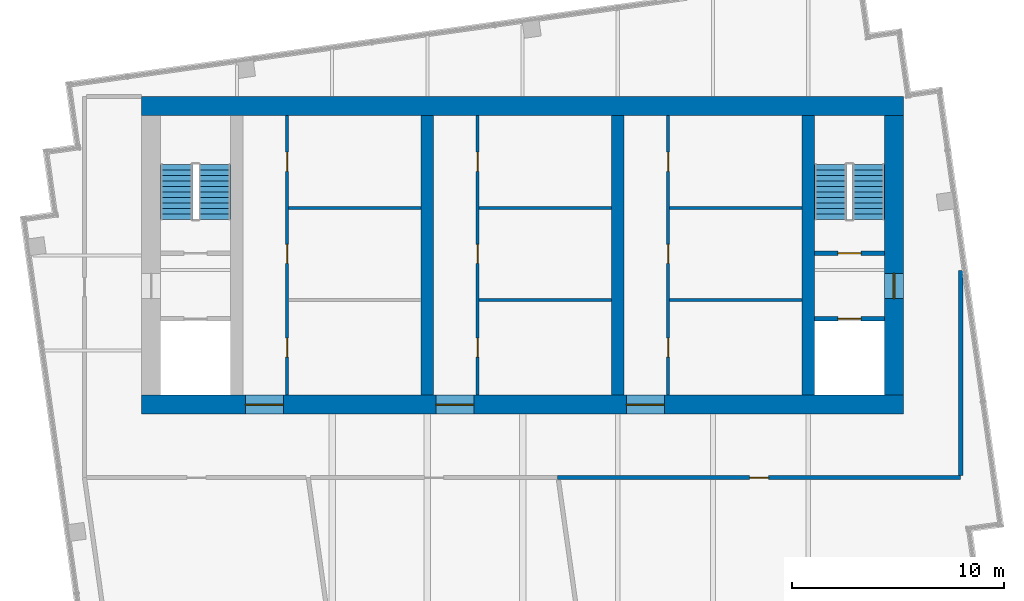
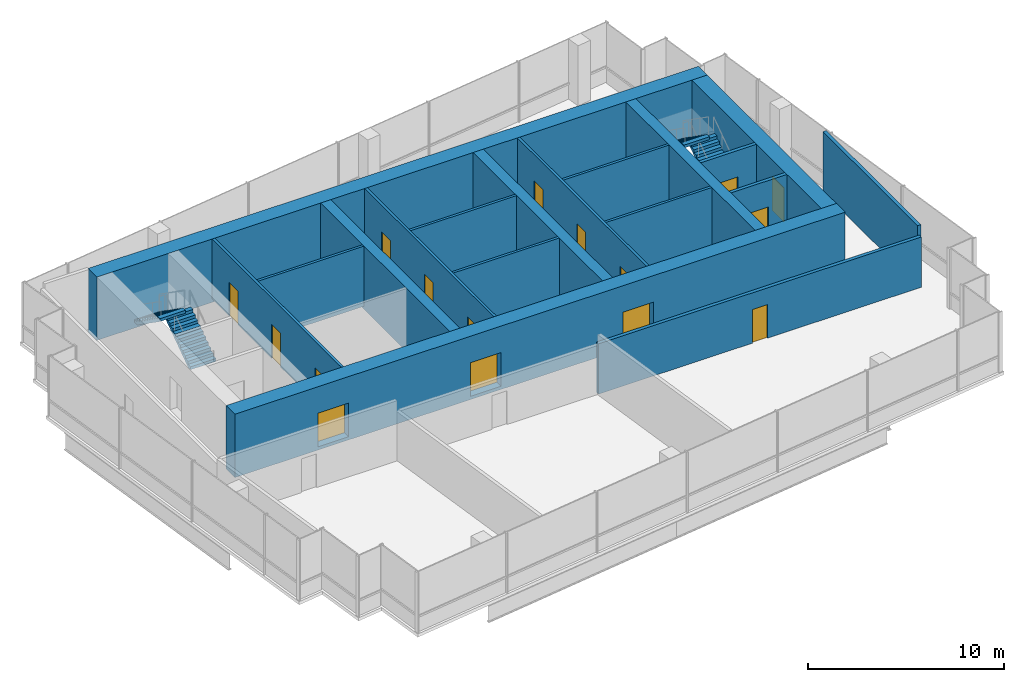
# One storey, part 8 of 9: 18 walls, 16 doors, 4 stair flights, 16 openings, 2 elements without a shape of their own.
"""IFC4 building model written with IfcOpenShell, lengths in metres."""

from ifc_helpers import new_model, si_unit, direction, frame, frame_2d, origin, place, context, subcontext, project, spatial, polyline, rectangle, outline, extrude, material, layer, layer_set, type_object, element, fill, aggregate, save


model = new_model("IFC4")

# Units and contexts
model_context = context("Model", 3, precision=1e-05, world=origin(), true_north=direction((0.0, 1.0)))
body_context = subcontext(model_context, "Body", "Model", "MODEL_VIEW")
ifc_project = project(units=[si_unit("LENGTHUNIT", "METRE"), si_unit("AREAUNIT", "SQUARE_METRE"), si_unit("VOLUMEUNIT", "CUBIC_METRE"), si_unit("PLANEANGLEUNIT", "RADIAN"), si_unit("MASSUNIT", "GRAM", prefix="KILO")], contexts=[model_context])

# Site, building, storey
site_placement = place(None, origin())
site = spatial("IfcSite", under=ifc_project, at=site_placement, CompositionType="ELEMENT")
building_placement = place(site_placement, origin())
building = spatial("IfcBuilding", under=site, at=building_placement, Name="Rattan Terrace Tower", CompositionType="ELEMENT")
storey_placement = place(building_placement, frame((0.0, 0.0, 312.300048828125)))
storey = spatial("IfcBuildingStorey", under=building, at=storey_placement, Name="C06", CompositionType="ELEMENT", Elevation=312.300048828125)

# Wall, openings, doors
ifc_material_1 = material(Name="Gypsum board partition")
ifc_layer_1 = layer(ifc_material_1, 0.14990234375)
ifc_layer_set_1 = layer_set([ifc_layer_1], Name="Core partition 150")
wall_type_1 = type_object("IfcWallType", Name="Core partition 150", PredefinedType="PARTITIONING", material=ifc_layer_set_1)
wall_1_placement = place(storey_placement, frame((-11.125, -6.60009765625, 0.0), z_axis=(0.0, 0.0, 1.0), x_axis=(0.0, 1.0, 0.0)))
wall_1 = element("IfcWall", 1, at=wall_1_placement, inside=storey, type_object=wall_type_1, Name="Core room wall", PredefinedType="PARTITIONING", context=body_context, shape_type="SweptSolid", body=[
    extrude(rectangle(XDim=13.2001953125, YDim=0.14990234375, at=frame_2d((6.60009765625, 0.0))), origin(), (0.0, 0.0, 1.0), 3.75),
])
opening_1_placement = place(wall_1_placement, frame((1.7939453125, 0.0, 0.0)))
opening_1 = element("IfcOpeningElement", 2, at=opening_1_placement, cuts=wall_1, Name="Opening C06-D005", PredefinedType="OPENING", context=body_context, shape_type="SweptSolid", body=[
    extrude(rectangle(XDim=0.89990234375, YDim=2.10009765625, at=frame_2d((0.449951171875, 1.050048828125))), frame((0.0, 0.08544921875, 0.0), z_axis=(0.0, -1.0, 0.0), x_axis=(1.0, 0.0, 0.0)), (0.0, 0.0, 1.0), 0.1708984375),
])
opening_2_placement = place(wall_1_placement, frame((6.216064453125, 0.0, 0.0)))
opening_2 = element("IfcOpeningElement", 3, at=opening_2_placement, cuts=wall_1, Name="Opening C06-D006", PredefinedType="OPENING", context=body_context, shape_type="SweptSolid", body=[
    extrude(rectangle(XDim=0.89990234375, YDim=2.10009765625, at=frame_2d((0.449951171875, 1.050048828125))), frame((0.0, 0.08544921875, 0.0), z_axis=(0.0, -1.0, 0.0), x_axis=(1.0, 0.0, 0.0)), (0.0, 0.0, 1.0), 0.1708984375),
])
opening_3_placement = place(wall_1_placement, frame((10.572021484375, 0.0, 0.0)))
opening_3 = element("IfcOpeningElement", 4, at=opening_3_placement, cuts=wall_1, Name="Opening C06-D007", PredefinedType="OPENING", context=body_context, shape_type="SweptSolid", body=[
    extrude(rectangle(XDim=0.89990234375, YDim=2.10009765625, at=frame_2d((0.449951171875, 1.050048828125))), frame((0.0, 0.08544921875, 0.0), z_axis=(0.0, -1.0, 0.0), x_axis=(1.0, 0.0, 0.0)), (0.0, 0.0, 1.0), 0.1708984375),
])
ifc_material_2 = material(Name="Hollow-metal fire door leaf")
door_type_1 = type_object("IfcDoorType", Name="Core service room door 900", OperationType="NOTDEFINED", PredefinedType="DOOR", material=ifc_material_2)
door_1_placement = place(opening_1_placement, origin())
door_1 = element("IfcDoor", 5, at=door_1_placement, inside=storey, type_object=door_type_1, Name="Door C06-D005", OperationType="SINGLE_SWING_LEFT", OverallHeight=2.10009765625, OverallWidth=0.89990234375, PredefinedType="DOOR", context=body_context, shape_type="SweptSolid", body=[
    extrude(rectangle(XDim=0.89990234375, YDim=2.10009765625, at=frame_2d((0.449951171875, 1.050048828125))), frame((0.0, 0.02490234375, 0.0), z_axis=(0.0, -1.0, 0.0), x_axis=(1.0, 0.0, 0.0)), (0.0, 0.0, 1.0), 0.050048828125),
])
fill(opening_1, door_1)
door_2_placement = place(opening_2_placement, origin())
door_2 = element("IfcDoor", 6, at=door_2_placement, inside=storey, type_object=door_type_1, Name="Door C06-D006", OperationType="SINGLE_SWING_RIGHT", OverallHeight=2.10009765625, OverallWidth=0.89990234375, PredefinedType="DOOR", context=body_context, shape_type="SweptSolid", body=[
    extrude(rectangle(XDim=0.89990234375, YDim=2.10009765625, at=frame_2d((0.449951171875, 1.050048828125))), frame((0.0, 0.02490234375, 0.0), z_axis=(0.0, -1.0, 0.0), x_axis=(1.0, 0.0, 0.0)), (0.0, 0.0, 1.0), 0.050048828125),
])
fill(opening_2, door_2)
door_3_placement = place(opening_3_placement, origin())
door_3 = element("IfcDoor", 7, at=door_3_placement, inside=storey, type_object=door_type_1, Name="Door C06-D007", OperationType="SINGLE_SWING_LEFT", OverallHeight=2.10009765625, OverallWidth=0.89990234375, PredefinedType="DOOR", context=body_context, shape_type="SweptSolid", body=[
    extrude(rectangle(XDim=0.89990234375, YDim=2.10009765625, at=frame_2d((0.449951171875, 1.050048828125))), frame((0.0, 0.02490234375, 0.0), z_axis=(0.0, -1.0, 0.0), x_axis=(1.0, 0.0, 0.0)), (0.0, 0.0, 1.0), 0.050048828125),
])
fill(opening_3, door_3)

# Wall
wall_2_placement = place(storey_placement, frame((-11.050048828125, 2.243896484375, 0.0), z_axis=(0.0, 0.0, 1.0), x_axis=(1.0, 0.0, 0.0)))
element("IfcWall", 8, at=wall_2_placement, inside=storey, type_object=wall_type_1, Name="Core room wall", PredefinedType="PARTITIONING", context=body_context, shape_type="SweptSolid", body=[
    extrude(rectangle(XDim=6.25, YDim=0.14990234375, at=frame_2d((3.125, 0.0))), origin(), (0.0, 0.0, 1.0), 3.75),
])

# Wall, openings, doors
wall_3_placement = place(storey_placement, frame((-2.125, -6.60009765625, 0.0), z_axis=(0.0, 0.0, 1.0), x_axis=(0.0, 1.0, 0.0)))
wall_3 = element("IfcWall", 9, at=wall_3_placement, inside=storey, type_object=wall_type_1, Name="Core room wall", PredefinedType="PARTITIONING", context=body_context, shape_type="SweptSolid", body=[
    extrude(rectangle(XDim=13.2001953125, YDim=0.14990234375, at=frame_2d((6.60009765625, 0.0))), origin(), (0.0, 0.0, 1.0), 3.75),
])
opening_4_placement = place(wall_3_placement, frame((1.7939453125, 0.0, 0.0)))
opening_4 = element("IfcOpeningElement", 10, at=opening_4_placement, cuts=wall_3, Name="Opening C06-D009", PredefinedType="OPENING", context=body_context, shape_type="SweptSolid", body=[
    extrude(rectangle(XDim=0.89990234375, YDim=2.10009765625, at=frame_2d((0.449951171875, 1.050048828125))), frame((0.0, 0.08544921875, 0.0), z_axis=(0.0, -1.0, 0.0), x_axis=(1.0, 0.0, 0.0)), (0.0, 0.0, 1.0), 0.1708984375),
])
opening_5_placement = place(wall_3_placement, frame((6.216064453125, 0.0, 0.0)))
opening_5 = element("IfcOpeningElement", 11, at=opening_5_placement, cuts=wall_3, Name="Opening C06-D010", PredefinedType="OPENING", context=body_context, shape_type="SweptSolid", body=[
    extrude(rectangle(XDim=0.89990234375, YDim=2.10009765625, at=frame_2d((0.449951171875, 1.050048828125))), frame((0.0, 0.08544921875, 0.0), z_axis=(0.0, -1.0, 0.0), x_axis=(1.0, 0.0, 0.0)), (0.0, 0.0, 1.0), 0.1708984375),
])
opening_6_placement = place(wall_3_placement, frame((10.572021484375, 0.0, 0.0)))
opening_6 = element("IfcOpeningElement", 12, at=opening_6_placement, cuts=wall_3, Name="Opening C06-D011", PredefinedType="OPENING", context=body_context, shape_type="SweptSolid", body=[
    extrude(rectangle(XDim=0.89990234375, YDim=2.10009765625, at=frame_2d((0.449951171875, 1.050048828125))), frame((0.0, 0.08544921875, 0.0), z_axis=(0.0, -1.0, 0.0), x_axis=(1.0, 0.0, 0.0)), (0.0, 0.0, 1.0), 0.1708984375),
])
door_4_placement = place(opening_4_placement, origin())
door_4 = element("IfcDoor", 13, at=door_4_placement, inside=storey, type_object=door_type_1, Name="Door C06-D009", OperationType="SINGLE_SWING_LEFT", OverallHeight=2.10009765625, OverallWidth=0.89990234375, PredefinedType="DOOR", context=body_context, shape_type="SweptSolid", body=[
    extrude(rectangle(XDim=0.89990234375, YDim=2.10009765625, at=frame_2d((0.449951171875, 1.050048828125))), frame((0.0, 0.02490234375, 0.0), z_axis=(0.0, -1.0, 0.0), x_axis=(1.0, 0.0, 0.0)), (0.0, 0.0, 1.0), 0.050048828125),
])
fill(opening_4, door_4)
door_5_placement = place(opening_5_placement, origin())
door_5 = element("IfcDoor", 14, at=door_5_placement, inside=storey, type_object=door_type_1, Name="Door C06-D010", OperationType="SINGLE_SWING_RIGHT", OverallHeight=2.10009765625, OverallWidth=0.89990234375, PredefinedType="DOOR", context=body_context, shape_type="SweptSolid", body=[
    extrude(rectangle(XDim=0.89990234375, YDim=2.10009765625, at=frame_2d((0.449951171875, 1.050048828125))), frame((0.0, 0.02490234375, 0.0), z_axis=(0.0, -1.0, 0.0), x_axis=(1.0, 0.0, 0.0)), (0.0, 0.0, 1.0), 0.050048828125),
])
fill(opening_5, door_5)
door_6_placement = place(opening_6_placement, origin())
door_6 = element("IfcDoor", 15, at=door_6_placement, inside=storey, type_object=door_type_1, Name="Door C06-D011", OperationType="SINGLE_SWING_LEFT", OverallHeight=2.10009765625, OverallWidth=0.89990234375, PredefinedType="DOOR", context=body_context, shape_type="SweptSolid", body=[
    extrude(rectangle(XDim=0.89990234375, YDim=2.10009765625, at=frame_2d((0.449951171875, 1.050048828125))), frame((0.0, 0.02490234375, 0.0), z_axis=(0.0, -1.0, 0.0), x_axis=(1.0, 0.0, 0.0)), (0.0, 0.0, 1.0), 0.050048828125),
])
fill(opening_6, door_6)

# Walls
for number, where, z_axis, x_axis, name in (
    (16, (-2.050048828125, -2.112060546875, 0.0), (0.0, 0.0, 1.0), (1.0, 0.0, 0.0), "Core room wall"),
    (17, (-2.050048828125, 2.243896484375, 0.0), (0.0, 0.0, 1.0), (1.0, 0.0, 0.0), "Core room wall"),
):
    element("IfcWall", number, at=place(storey_placement, frame(where, z_axis=z_axis, x_axis=x_axis)), inside=storey, type_object=wall_type_1, Name=name, PredefinedType="PARTITIONING", context=body_context, shape_type="SweptSolid", body=[
        extrude(rectangle(XDim=6.25, YDim=0.14990234375, at=frame_2d((3.125, 0.0))), origin(), (0.0, 0.0, 1.0), 3.75),
    ])

# Wall, openings, doors
wall_4_placement = place(storey_placement, frame((6.875, -6.60009765625, 0.0), z_axis=(0.0, 0.0, 1.0), x_axis=(0.0, 1.0, 0.0)))
wall_4 = element("IfcWall", 18, at=wall_4_placement, inside=storey, type_object=wall_type_1, Name="Core room wall", PredefinedType="PARTITIONING", context=body_context, shape_type="SweptSolid", body=[
    extrude(rectangle(XDim=13.2001953125, YDim=0.14990234375, at=frame_2d((6.60009765625, 0.0))), origin(), (0.0, 0.0, 1.0), 3.75),
])
opening_7_placement = place(wall_4_placement, frame((1.7939453125, 0.0, 0.0)))
opening_7 = element("IfcOpeningElement", 19, at=opening_7_placement, cuts=wall_4, Name="Opening C06-D013", PredefinedType="OPENING", context=body_context, shape_type="SweptSolid", body=[
    extrude(rectangle(XDim=0.89990234375, YDim=2.10009765625, at=frame_2d((0.449951171875, 1.050048828125))), frame((0.0, 0.08544921875, 0.0), z_axis=(0.0, -1.0, 0.0), x_axis=(1.0, 0.0, 0.0)), (0.0, 0.0, 1.0), 0.1708984375),
])
opening_8_placement = place(wall_4_placement, frame((6.216064453125, 0.0, 0.0)))
opening_8 = element("IfcOpeningElement", 20, at=opening_8_placement, cuts=wall_4, Name="Opening C06-D014", PredefinedType="OPENING", context=body_context, shape_type="SweptSolid", body=[
    extrude(rectangle(XDim=0.89990234375, YDim=2.10009765625, at=frame_2d((0.449951171875, 1.050048828125))), frame((0.0, 0.08544921875, 0.0), z_axis=(0.0, -1.0, 0.0), x_axis=(1.0, 0.0, 0.0)), (0.0, 0.0, 1.0), 0.1708984375),
])
opening_9_placement = place(wall_4_placement, frame((10.572021484375, 0.0, 0.0)))
opening_9 = element("IfcOpeningElement", 21, at=opening_9_placement, cuts=wall_4, Name="Opening C06-D015", PredefinedType="OPENING", context=body_context, shape_type="SweptSolid", body=[
    extrude(rectangle(XDim=0.89990234375, YDim=2.10009765625, at=frame_2d((0.449951171875, 1.050048828125))), frame((0.0, 0.08544921875, 0.0), z_axis=(0.0, -1.0, 0.0), x_axis=(1.0, 0.0, 0.0)), (0.0, 0.0, 1.0), 0.1708984375),
])
door_7_placement = place(opening_7_placement, origin())
door_7 = element("IfcDoor", 22, at=door_7_placement, inside=storey, type_object=door_type_1, Name="Door C06-D013", OperationType="SINGLE_SWING_LEFT", OverallHeight=2.10009765625, OverallWidth=0.89990234375, PredefinedType="DOOR", context=body_context, shape_type="SweptSolid", body=[
    extrude(rectangle(XDim=0.89990234375, YDim=2.10009765625, at=frame_2d((0.449951171875, 1.050048828125))), frame((0.0, 0.02490234375, 0.0), z_axis=(0.0, -1.0, 0.0), x_axis=(1.0, 0.0, 0.0)), (0.0, 0.0, 1.0), 0.050048828125),
])
fill(opening_7, door_7)
door_8_placement = place(opening_8_placement, origin())
door_8 = element("IfcDoor", 23, at=door_8_placement, inside=storey, type_object=door_type_1, Name="Door C06-D014", OperationType="SINGLE_SWING_RIGHT", OverallHeight=2.10009765625, OverallWidth=0.89990234375, PredefinedType="DOOR", context=body_context, shape_type="SweptSolid", body=[
    extrude(rectangle(XDim=0.89990234375, YDim=2.10009765625, at=frame_2d((0.449951171875, 1.050048828125))), frame((0.0, 0.02490234375, 0.0), z_axis=(0.0, -1.0, 0.0), x_axis=(1.0, 0.0, 0.0)), (0.0, 0.0, 1.0), 0.050048828125),
])
fill(opening_8, door_8)
door_9_placement = place(opening_9_placement, origin())
door_9 = element("IfcDoor", 24, at=door_9_placement, inside=storey, type_object=door_type_1, Name="Door C06-D015", OperationType="SINGLE_SWING_LEFT", OverallHeight=2.10009765625, OverallWidth=0.89990234375, PredefinedType="DOOR", context=body_context, shape_type="SweptSolid", body=[
    extrude(rectangle(XDim=0.89990234375, YDim=2.10009765625, at=frame_2d((0.449951171875, 1.050048828125))), frame((0.0, 0.02490234375, 0.0), z_axis=(0.0, -1.0, 0.0), x_axis=(1.0, 0.0, 0.0)), (0.0, 0.0, 1.0), 0.050048828125),
])
fill(opening_9, door_9)

# Walls
for number, where, z_axis, x_axis, name in (
    (25, (6.949951171875, -2.112060546875, 0.0), (0.0, 0.0, 1.0), (1.0, 0.0, 0.0), "Core room wall"),
    (26, (6.949951171875, 2.243896484375, 0.0), (0.0, 0.0, 1.0), (1.0, 0.0, 0.0), "Core room wall"),
):
    element("IfcWall", number, at=place(storey_placement, frame(where, z_axis=z_axis, x_axis=x_axis)), inside=storey, type_object=wall_type_1, Name=name, PredefinedType="PARTITIONING", context=body_context, shape_type="SweptSolid", body=[
        extrude(rectangle(XDim=6.25, YDim=0.14990234375, at=frame_2d((3.125, 0.0))), origin(), (0.0, 0.0, 1.0), 3.75),
    ])

# Wall, opening, door
ifc_material_3 = material(Name="Gypsum board partition")
ifc_layer_2 = layer(ifc_material_3, 0.199951171875)
ifc_layer_set_2 = layer_set([ifc_layer_2], Name="Core partition 200")
wall_type_2 = type_object("IfcWallType", Name="Core partition 200", PredefinedType="PARTITIONING", material=ifc_layer_set_2)
wall_5_placement = place(storey_placement, frame((13.800048828125, -3.0, 0.0), z_axis=(0.0, 0.0, 1.0), x_axis=(1.0, 0.0, 0.0)))
wall_5 = element("IfcWall", 27, at=wall_5_placement, inside=storey, type_object=wall_type_2, Name="Fire-fighting lobby wall", PredefinedType="PARTITIONING", context=body_context, shape_type="SweptSolid", body=[
    extrude(rectangle(XDim=3.300048828125, YDim=0.199951171875, at=frame_2d((1.64990234375, 0.0))), origin(), (0.0, 0.0, 1.0), 3.75),
])
opening_10_placement = place(wall_5_placement, frame((1.10009765625, 0.0, 0.0)))
opening_10 = element("IfcOpeningElement", 28, at=opening_10_placement, cuts=wall_5, Name="Opening C06-LD-FF2", PredefinedType="OPENING", context=body_context, shape_type="SweptSolid", body=[
    extrude(rectangle(XDim=1.10009765625, YDim=2.10009765625, at=frame_2d((0.550048828125, 1.050048828125))), frame((0.0, 0.110595703125, 0.0), z_axis=(0.0, -1.0, 0.0), x_axis=(1.0, 0.0, 0.0)), (0.0, 0.0, 1.0), 0.220947265625),
])
ifc_material_4 = material(Name="Brushed stainless landing door panel")
door_type_2 = type_object("IfcDoorType", Name="Core lift landing door 1100", OperationType="DOUBLE_DOOR_SLIDING", PredefinedType="DOOR", material=ifc_material_4)
door_10_placement = place(opening_10_placement, origin())
door_10 = element("IfcDoor", 29, at=door_10_placement, inside=storey, type_object=door_type_2, Name="Door C06-LD-FF2", OperationType="DOUBLE_DOOR_SLIDING", OverallHeight=2.10009765625, OverallWidth=1.10009765625, PredefinedType="DOOR", context=body_context, shape_type="SweptSolid", body=[
    extrude(rectangle(XDim=1.10009765625, YDim=2.10009765625, at=frame_2d((0.550048828125, 1.050048828125))), frame((0.0, 0.02490234375, 0.0), z_axis=(0.0, -1.0, 0.0), x_axis=(1.0, 0.0, 0.0)), (0.0, 0.0, 1.0), 0.050048828125),
])
fill(opening_10, door_10)

wall_6_placement = place(storey_placement, frame((13.800048828125, 0.10009765625, 0.0), z_axis=(0.0, 0.0, 1.0), x_axis=(1.0, 0.0, 0.0)))
wall_6 = element("IfcWall", 30, at=wall_6_placement, inside=storey, type_object=wall_type_2, Name="Stair enclosure wall", PredefinedType="PARTITIONING", context=body_context, shape_type="SweptSolid", body=[
    extrude(rectangle(XDim=3.300048828125, YDim=0.199951171875, at=frame_2d((1.64990234375, 0.0))), origin(), (0.0, 0.0, 1.0), 3.75),
])
opening_11_placement = place(wall_6_placement, frame((1.10009765625, 0.0, 0.0)))
opening_11 = element("IfcOpeningElement", 31, at=opening_11_placement, cuts=wall_6, Name="Opening C06-D004", PredefinedType="OPENING", context=body_context, shape_type="SweptSolid", body=[
    extrude(rectangle(XDim=1.10009765625, YDim=2.10009765625, at=frame_2d((0.550048828125, 1.050048828125))), frame((0.0, 0.110595703125, 0.0), z_axis=(0.0, -1.0, 0.0), x_axis=(1.0, 0.0, 0.0)), (0.0, 0.0, 1.0), 0.220947265625),
])
ifc_material_5 = material(Name="Hollow-metal fire door leaf")
door_type_3 = type_object("IfcDoorType", Name="Core stair door 1100", OperationType="NOTDEFINED", PredefinedType="DOOR", material=ifc_material_5)
door_11_placement = place(opening_11_placement, origin())
door_11 = element("IfcDoor", 32, at=door_11_placement, inside=storey, type_object=door_type_3, Name="Door C06-D004", OperationType="SINGLE_SWING_RIGHT", OverallHeight=2.10009765625, OverallWidth=1.10009765625, PredefinedType="DOOR", context=body_context, shape_type="SweptSolid", body=[
    extrude(rectangle(XDim=1.10009765625, YDim=2.10009765625, at=frame_2d((0.550048828125, 1.050048828125))), frame((0.0, 0.02490234375, 0.0), z_axis=(0.0, -1.0, 0.0), x_axis=(1.0, 0.0, 0.0)), (0.0, 0.0, 1.0), 0.050048828125),
])
fill(opening_11, door_11)

# Wall, openings, doors
ifc_material_6 = material(Name="Concrete C50/60", Category="concrete")
ifc_layer_3 = layer(ifc_material_6, 0.89990234375)
ifc_layer_set_3 = layer_set([ifc_layer_3], Name="Core ring wall 900 C50/60")
wall_type_3 = type_object("IfcWallType", Name="Core ring wall 900 C50/60", PredefinedType="SHEAR", material=ifc_layer_set_3)
wall_7_placement = place(storey_placement, frame((-18.0, -7.050048828125, -0.199951171875), z_axis=(0.0, 0.0, 1.0), x_axis=(1.0, 0.0, 0.0)))
wall_7 = element("IfcWall", 33, at=wall_7_placement, inside=storey, type_object=wall_type_3, Name="Rear core wall south", PredefinedType="SHEAR", context=body_context, shape_type="SweptSolid", body=[
    extrude(rectangle(XDim=36.0, YDim=0.89990234375, at=frame_2d((18.0, 0.0))), origin(), (0.0, 0.0, 1.0), 3.949951171875),
])
opening_12_placement = place(wall_7_placement, frame((4.89990234375, 0.0, 0.199951171875)))
opening_12 = element("IfcOpeningElement", 34, at=opening_12_placement, cuts=wall_7, Name="Opening C06-D008", PredefinedType="OPENING", context=body_context, shape_type="SweptSolid", body=[
    extrude(rectangle(XDim=1.800048828125, YDim=2.10009765625, at=frame_2d((0.89990234375, 1.050048828125))), frame((0.0, 0.46044921875, 0.0), z_axis=(0.0, -1.0, 0.0), x_axis=(1.0, 0.0, 0.0)), (0.0, 0.0, 1.0), 0.9208984375),
])
opening_13_placement = place(wall_7_placement, frame((13.89990234375, 0.0, 0.199951171875)))
opening_13 = element("IfcOpeningElement", 35, at=opening_13_placement, cuts=wall_7, Name="Opening C06-D012", PredefinedType="OPENING", context=body_context, shape_type="SweptSolid", body=[
    extrude(rectangle(XDim=1.800048828125, YDim=2.10009765625, at=frame_2d((0.89990234375, 1.050048828125))), frame((0.0, 0.46044921875, 0.0), z_axis=(0.0, -1.0, 0.0), x_axis=(1.0, 0.0, 0.0)), (0.0, 0.0, 1.0), 0.9208984375),
])
opening_14_placement = place(wall_7_placement, frame((22.89990234375, 0.0, 0.199951171875)))
opening_14 = element("IfcOpeningElement", 36, at=opening_14_placement, cuts=wall_7, Name="Opening C06-D016", PredefinedType="OPENING", context=body_context, shape_type="SweptSolid", body=[
    extrude(rectangle(XDim=1.800048828125, YDim=2.10009765625, at=frame_2d((0.89990234375, 1.050048828125))), frame((0.0, 0.46044921875, 0.0), z_axis=(0.0, -1.0, 0.0), x_axis=(1.0, 0.0, 0.0)), (0.0, 0.0, 1.0), 0.9208984375),
])
ifc_material_7 = material(Name="Hollow-metal fire door leaf")
door_type_4 = type_object("IfcDoorType", Name="Core service room door 1800", OperationType="NOTDEFINED", PredefinedType="DOOR", material=ifc_material_7)
door_12_placement = place(opening_12_placement, origin())
door_12 = element("IfcDoor", 37, at=door_12_placement, inside=storey, type_object=door_type_4, Name="Door C06-D008", OperationType="SINGLE_SWING_RIGHT", OverallHeight=2.10009765625, OverallWidth=1.800048828125, PredefinedType="DOOR", context=body_context, shape_type="SweptSolid", body=[
    extrude(rectangle(XDim=1.800048828125, YDim=2.10009765625, at=frame_2d((0.89990234375, 1.050048828125))), frame((0.0, 0.02490234375, 0.0), z_axis=(0.0, -1.0, 0.0), x_axis=(1.0, 0.0, 0.0)), (0.0, 0.0, 1.0), 0.050048828125),
])
fill(opening_12, door_12)
door_13_placement = place(opening_13_placement, origin())
door_13 = element("IfcDoor", 38, at=door_13_placement, inside=storey, type_object=door_type_4, Name="Door C06-D012", OperationType="SINGLE_SWING_RIGHT", OverallHeight=2.10009765625, OverallWidth=1.800048828125, PredefinedType="DOOR", context=body_context, shape_type="SweptSolid", body=[
    extrude(rectangle(XDim=1.800048828125, YDim=2.10009765625, at=frame_2d((0.89990234375, 1.050048828125))), frame((0.0, 0.02490234375, 0.0), z_axis=(0.0, -1.0, 0.0), x_axis=(1.0, 0.0, 0.0)), (0.0, 0.0, 1.0), 0.050048828125),
])
fill(opening_13, door_13)
door_14_placement = place(opening_14_placement, origin())
door_14 = element("IfcDoor", 39, at=door_14_placement, inside=storey, type_object=door_type_4, Name="Door C06-D016", OperationType="SINGLE_SWING_RIGHT", OverallHeight=2.10009765625, OverallWidth=1.800048828125, PredefinedType="DOOR", context=body_context, shape_type="SweptSolid", body=[
    extrude(rectangle(XDim=1.800048828125, YDim=2.10009765625, at=frame_2d((0.89990234375, 1.050048828125))), frame((0.0, 0.02490234375, 0.0), z_axis=(0.0, -1.0, 0.0), x_axis=(1.0, 0.0, 0.0)), (0.0, 0.0, 1.0), 0.050048828125),
])
fill(opening_14, door_14)

# Wall
wall_8_placement = place(storey_placement, frame((-18.0, 7.050048828125, -0.199951171875), z_axis=(0.0, 0.0, 1.0), x_axis=(1.0, 0.0, 0.0)))
element("IfcWall", 40, at=wall_8_placement, inside=storey, type_object=wall_type_3, Name="Rear core wall north", PredefinedType="SHEAR", context=body_context, shape_type="SweptSolid", body=[
    extrude(rectangle(XDim=36.0, YDim=0.89990234375, at=frame_2d((18.0, 0.0))), origin(), (0.0, 0.0, 1.0), 3.949951171875),
])

# Wall, opening, door
wall_9_placement = place(storey_placement, frame((17.550048828125, -6.60009765625, -0.199951171875), z_axis=(0.0, 0.0, 1.0), x_axis=(0.0, 1.0, 0.0)))
wall_9 = element("IfcWall", 41, at=wall_9_placement, inside=storey, type_object=wall_type_3, Name="Rear core wall east", PredefinedType="SHEAR", context=body_context, shape_type="SweptSolid", body=[
    extrude(rectangle(XDim=13.2001953125, YDim=0.89990234375, at=frame_2d((6.60009765625, 0.0))), origin(), (0.0, 0.0, 1.0), 3.949951171875),
])
opening_15_placement = place(wall_9_placement, frame((4.550048828125, 0.0, 0.199951171875)))
opening_15 = element("IfcOpeningElement", 42, at=opening_15_placement, cuts=wall_9, Name="Opening C06-D003", PredefinedType="OPENING", context=body_context, shape_type="SweptSolid", body=[
    extrude(rectangle(XDim=1.199951171875, YDim=2.10009765625, at=frame_2d((0.60009765625, 1.050048828125))), frame((0.0, 0.46044921875, 0.0), z_axis=(0.0, -1.0, 0.0), x_axis=(1.0, 0.0, 0.0)), (0.0, 0.0, 1.0), 0.9208984375),
])
ifc_material_8 = material(Name="Hollow-metal fire door leaf")
door_type_5 = type_object("IfcDoorType", Name="Core fire-fighting lobby door 1200", OperationType="NOTDEFINED", PredefinedType="DOOR", material=ifc_material_8)
door_15_placement = place(opening_15_placement, origin())
door_15 = element("IfcDoor", 43, at=door_15_placement, inside=storey, type_object=door_type_5, Name="Door C06-D003", OperationType="SINGLE_SWING_LEFT", OverallHeight=2.10009765625, OverallWidth=1.199951171875, PredefinedType="DOOR", context=body_context, shape_type="SweptSolid", body=[
    extrude(rectangle(XDim=1.199951171875, YDim=2.10009765625, at=frame_2d((0.60009765625, 1.050048828125))), frame((0.0, 0.02490234375, 0.0), z_axis=(0.0, -1.0, 0.0), x_axis=(1.0, 0.0, 0.0)), (0.0, 0.0, 1.0), 0.050048828125),
])
fill(opening_15, door_15)

# Walls
ifc_material_9 = material(Name="Concrete C50/60", Category="concrete")
ifc_layer_4 = layer(ifc_material_9, 0.60009765625)
ifc_layer_set_4 = layer_set([ifc_layer_4], Name="Core spine wall 600 C50/60")
wall_type_4 = type_object("IfcWallType", Name="Core spine wall 600 C50/60", PredefinedType="SHEAR", material=ifc_layer_set_4)
for number, where, z_axis, x_axis, name in (
    (44, (-4.5, -6.60009765625, -0.199951171875), (0.0, 0.0, 1.0), (0.0, 1.0, 0.0), "Core spine wall 2"),
    (45, (4.5, -6.60009765625, -0.199951171875), (0.0, 0.0, 1.0), (0.0, 1.0, 0.0), "Core spine wall 3"),
    (46, (13.5, -6.60009765625, -0.199951171875), (0.0, 0.0, 1.0), (0.0, 1.0, 0.0), "Core spine wall 4"),
):
    element("IfcWall", number, at=place(storey_placement, frame(where, z_axis=z_axis, x_axis=x_axis)), inside=storey, type_object=wall_type_4, Name=name, PredefinedType="SHEAR", context=body_context, shape_type="SweptSolid", body=[
        extrude(rectangle(XDim=13.2001953125, YDim=0.60009765625, at=frame_2d((6.60009765625, 0.0))), origin(), (0.0, 0.0, 1.0), 3.949951171875),
    ])
ifc_material_10 = material(Name="Concrete block wall, plastered", Category="concrete")
ifc_layer_5 = layer(ifc_material_10, 0.199951171875)
ifc_layer_set_5 = layer_set([ifc_layer_5], Name="Floors Plant Wall 200")
wall_type_5 = type_object("IfcWallType", Name="Floors Plant Wall 200", PredefinedType="PARTITIONING", material=ifc_layer_set_5)
wall_10_placement = place(storey_placement, frame((20.698974609375, -0.715087890625, 0.0), z_axis=(0.0, 0.0, 1.0), x_axis=(0.0, -1.0, 0.0)))
element("IfcWall", 47, at=wall_10_placement, inside=storey, type_object=wall_type_5, Name="pt-C06-003", PredefinedType="PARTITIONING", context=body_context, shape_type="SweptSolid", body=[
    extrude(rectangle(XDim=9.684814453125, YDim=0.199951171875, at=frame_2d((4.84228515625, 0.0))), origin(), (0.0, 0.0, 1.0), 3.75),
])

# Wall, opening, door
wall_11_placement = place(storey_placement, frame((20.699951171875, -10.5, 0.0), z_axis=(0.0, 0.0, 1.0), x_axis=(-1.0, 0.0, 0.0)))
wall_11 = element("IfcWall", 48, at=wall_11_placement, inside=storey, type_object=wall_type_5, Name="pt-C06-004", PredefinedType="PARTITIONING", context=body_context, shape_type="SweptSolid", body=[
    extrude(rectangle(XDim=19.041015625, YDim=0.199951171875, at=frame_2d((9.5205078125, 0.0))), origin(), (0.0, 0.0, 1.0), 3.139892578125),
])
opening_16_placement = place(wall_11_placement, frame((9.071044921875, 0.0, 0.0)))
opening_16 = element("IfcOpeningElement", 49, at=opening_16_placement, cuts=wall_11, Name="Opening C06-D102", PredefinedType="OPENING", context=body_context, shape_type="SweptSolid", body=[
    extrude(rectangle(XDim=0.89990234375, YDim=2.10009765625, at=frame_2d((0.449951171875, 1.050048828125))), frame((0.0, 0.110595703125, 0.0), z_axis=(0.0, -1.0, 0.0), x_axis=(1.0, 0.0, 0.0)), (0.0, 0.0, 1.0), 0.220947265625),
])
ifc_material_11 = material(Name="Steel fire door set", Category="steel")
door_type_6 = type_object("IfcDoorType", Name="Floors Fire Door FD60 900x2100", OperationType="NOTDEFINED", PredefinedType="DOOR", material=ifc_material_11)
door_16_placement = place(opening_16_placement, origin())
door_16 = element("IfcDoor", 50, at=door_16_placement, inside=storey, type_object=door_type_6, Name="d-C06-102", OperationType="SINGLE_SWING_LEFT", OverallHeight=2.10009765625, OverallWidth=0.89990234375, PredefinedType="DOOR", context=body_context, shape_type="SweptSolid", body=[
    extrude(rectangle(XDim=0.89990234375, YDim=2.10009765625, at=frame_2d((0.449951171875, 1.050048828125))), frame((0.0, 0.02490234375, 0.0), z_axis=(0.0, -1.0, 0.0), x_axis=(1.0, 0.0, 0.0)), (0.0, 0.0, 1.0), 0.050048828125),
])
fill(opening_16, door_16)

# Stair, stair flights
ifc_material_12 = material(Name="Concrete C40/50", Category="concrete")
stair_type = type_object("IfcStairType", Name="Core exit stair 1500", PredefinedType="HALF_TURN_STAIR", material=ifc_material_12)
stair_1_placement = place(storey_placement, origin())
stair_1 = element("IfcStair", 51, at=stair_1_placement, inside=storey, type_object=stair_type, Name="C06 exit stair 1", PredefinedType="HALF_TURN_STAIR")
ifc_material_13 = material(Name="Concrete C40/50", Category="concrete")
stair_flight_type = type_object("IfcStairFlightType", Name="Core exit stair flight 1500", PredefinedType="STRAIGHT", material=ifc_material_13)
stair_flight_1_placement = place(storey_placement, frame((-14.550048828125, 1.699951171875, 0.0), z_axis=(0.0, 0.0, 1.0), x_axis=(0.0, 1.0, 0.0)))
stair_flight_1 = element("IfcStairFlight", 52, at=stair_flight_1_placement, type_object=stair_flight_type, Name="S1 flight 1", NumberOfRisers=11, NumberOfTreads=10, PredefinedType="STRAIGHT", RiserHeight=0.181818182, TreadLength=0.26, context=body_context, shape_type="SweptSolid", body=[
    extrude(outline(polyline([(0.0, 0.0), (0.0, 0.181884765625), (0.260009765625, 0.181884765625), (0.260009765625, 0.363525390625), (0.52001953125, 0.363525390625), (0.52001953125, 0.54541015625), (0.780029296875, 0.54541015625), (0.780029296875, 0.727294921875), (1.0400390625, 0.727294921875), (1.0400390625, 0.9091796875), (1.300048828125, 0.9091796875), (1.300048828125, 1.0908203125), (1.56005859375, 1.0908203125), (1.56005859375, 1.272705078125), (1.820068359375, 1.272705078125), (1.820068359375, 1.45458984375), (2.080078125, 1.45458984375), (2.080078125, 1.636474609375), (2.340087890625, 1.636474609375), (2.340087890625, 1.818115234375), (2.60009765625, 1.818115234375), (2.60009765625, 2.0), (2.60009765625, 1.63525390625), (0.261474609375, 0.0), (0.0, 0.0)])), frame((0.0, 0.75, 0.0), z_axis=(0.0, -1.0, 0.0), x_axis=(1.0, 0.0, 0.0)), (0.0, 0.0, 1.0), 1.5),
])
stair_flight_2_placement = place(storey_placement, frame((-16.35009765625, 4.300048828125, 2.0), z_axis=(0.0, 0.0, 1.0), x_axis=(0.0, -1.0, 0.0)))
stair_flight_2 = element("IfcStairFlight", 53, at=stair_flight_2_placement, type_object=stair_flight_type, Name="S1 flight 2", NumberOfRisers=11, NumberOfTreads=10, PredefinedType="STRAIGHT", RiserHeight=0.181818182, TreadLength=0.26, context=body_context, shape_type="SweptSolid", body=[
    extrude(outline(polyline([(0.0, 0.0), (0.0, 0.181884765625), (0.260009765625, 0.181884765625), (0.260009765625, 0.363525390625), (0.52001953125, 0.363525390625), (0.52001953125, 0.54541015625), (0.780029296875, 0.54541015625), (0.780029296875, 0.727294921875), (1.0400390625, 0.727294921875), (1.0400390625, 0.9091796875), (1.300048828125, 0.9091796875), (1.300048828125, 1.0908203125), (1.56005859375, 1.0908203125), (1.56005859375, 1.272705078125), (1.820068359375, 1.272705078125), (1.820068359375, 1.45458984375), (2.080078125, 1.45458984375), (2.080078125, 1.636474609375), (2.340087890625, 1.636474609375), (2.340087890625, 1.818115234375), (2.60009765625, 1.818115234375), (2.60009765625, 2.0), (2.60009765625, 1.63525390625), (0.261474609375, 0.0), (0.0, 0.0)])), frame((0.0, 0.75, 0.0), z_axis=(0.0, -1.0, 0.0), x_axis=(1.0, 0.0, 0.0)), (0.0, 0.0, 1.0), 1.5),
])
aggregate(stair_1, [stair_flight_1, stair_flight_2])

stair_2_placement = place(storey_placement, origin())
stair_2 = element("IfcStair", 54, at=stair_2_placement, inside=storey, type_object=stair_type, Name="C06 exit stair 2", PredefinedType="HALF_TURN_STAIR")
stair_flight_3_placement = place(storey_placement, frame((16.35009765625, 1.699951171875, 0.0), z_axis=(0.0, 0.0, 1.0), x_axis=(0.0, 1.0, 0.0)))
stair_flight_3 = element("IfcStairFlight", 55, at=stair_flight_3_placement, type_object=stair_flight_type, Name="S2 flight 1", NumberOfRisers=11, NumberOfTreads=10, PredefinedType="STRAIGHT", RiserHeight=0.181818182, TreadLength=0.26, context=body_context, shape_type="SweptSolid", body=[
    extrude(outline(polyline([(0.0, 0.0), (0.0, 0.181884765625), (0.260009765625, 0.181884765625), (0.260009765625, 0.363525390625), (0.52001953125, 0.363525390625), (0.52001953125, 0.54541015625), (0.780029296875, 0.54541015625), (0.780029296875, 0.727294921875), (1.0400390625, 0.727294921875), (1.0400390625, 0.9091796875), (1.300048828125, 0.9091796875), (1.300048828125, 1.0908203125), (1.56005859375, 1.0908203125), (1.56005859375, 1.272705078125), (1.820068359375, 1.272705078125), (1.820068359375, 1.45458984375), (2.080078125, 1.45458984375), (2.080078125, 1.636474609375), (2.340087890625, 1.636474609375), (2.340087890625, 1.818115234375), (2.60009765625, 1.818115234375), (2.60009765625, 2.0), (2.60009765625, 1.63525390625), (0.261474609375, 0.0), (0.0, 0.0)])), frame((0.0, 0.75, 0.0), z_axis=(0.0, -1.0, 0.0), x_axis=(1.0, 0.0, 0.0)), (0.0, 0.0, 1.0), 1.5),
])
stair_flight_4_placement = place(storey_placement, frame((14.550048828125, 4.300048828125, 2.0), z_axis=(0.0, 0.0, 1.0), x_axis=(0.0, -1.0, 0.0)))
stair_flight_4 = element("IfcStairFlight", 56, at=stair_flight_4_placement, type_object=stair_flight_type, Name="S2 flight 2", NumberOfRisers=11, NumberOfTreads=10, PredefinedType="STRAIGHT", RiserHeight=0.181818182, TreadLength=0.26, context=body_context, shape_type="SweptSolid", body=[
    extrude(outline(polyline([(0.0, 0.0), (0.0, 0.181884765625), (0.260009765625, 0.181884765625), (0.260009765625, 0.363525390625), (0.52001953125, 0.363525390625), (0.52001953125, 0.54541015625), (0.780029296875, 0.54541015625), (0.780029296875, 0.727294921875), (1.0400390625, 0.727294921875), (1.0400390625, 0.9091796875), (1.300048828125, 0.9091796875), (1.300048828125, 1.0908203125), (1.56005859375, 1.0908203125), (1.56005859375, 1.272705078125), (1.820068359375, 1.272705078125), (1.820068359375, 1.45458984375), (2.080078125, 1.45458984375), (2.080078125, 1.636474609375), (2.340087890625, 1.636474609375), (2.340087890625, 1.818115234375), (2.60009765625, 1.818115234375), (2.60009765625, 2.0), (2.60009765625, 1.63525390625), (0.261474609375, 0.0), (0.0, 0.0)])), frame((0.0, 0.75, 0.0), z_axis=(0.0, -1.0, 0.0), x_axis=(1.0, 0.0, 0.0)), (0.0, 0.0, 1.0), 1.5),
])
aggregate(stair_2, [stair_flight_3, stair_flight_4])

save(model, "model.ifc")
